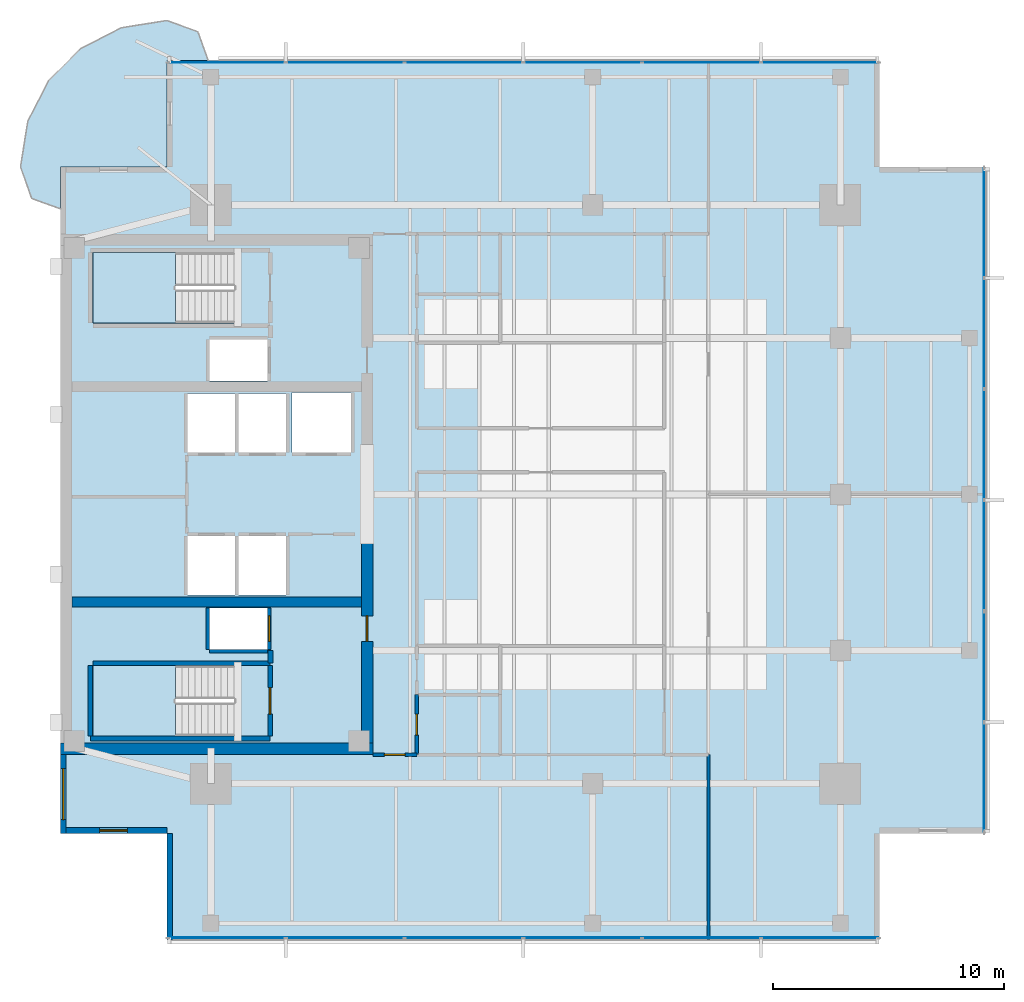
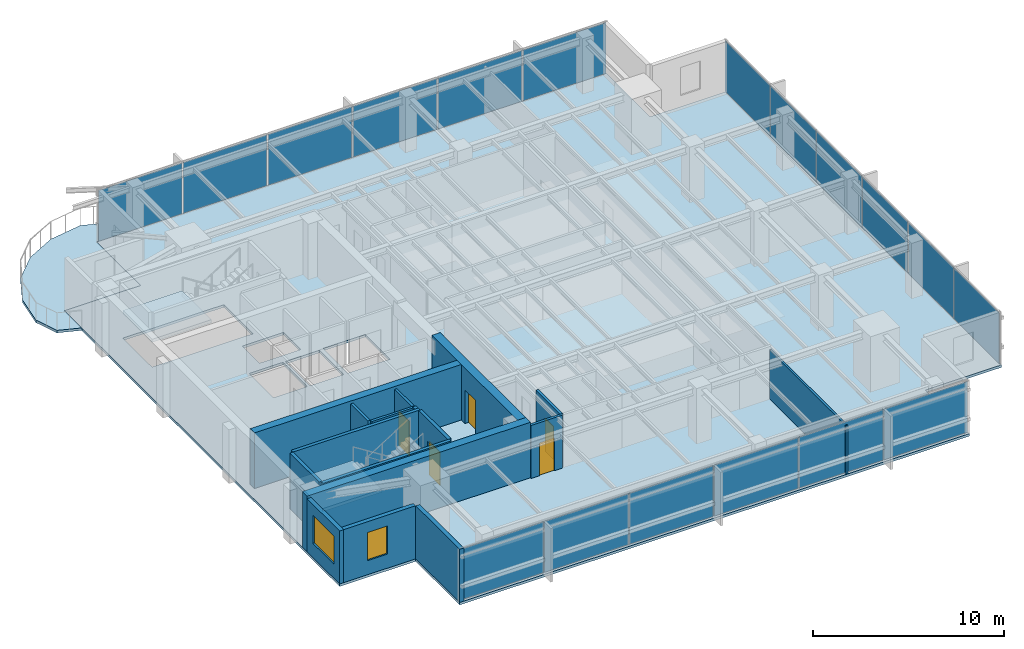
# One storey, part 7 of 14: 18 plates, 17 walls, 5 doors, 4 slabs, 2 windows, 7 openings, 5 elements without a shape of their own.
"""IFC4 building model written with IfcOpenShell, lengths in metres."""

from ifc_helpers import new_model, si_unit, direction, frame, frame_2d, origin, origin_2d, place, context, subcontext, project, spatial, polyline, rectangle, outline, extrude, material, layer, layer_set, type_object, element, fill, aggregate, save


model = new_model("IFC4")

# Units and contexts
model_context = context("Model", 3, precision=1e-05, world=origin(), true_north=direction((0.0, 1.0)))
body_context = subcontext(model_context, "Body", "Model", "MODEL_VIEW")
ifc_project = project(units=[si_unit("LENGTHUNIT", "METRE"), si_unit("AREAUNIT", "SQUARE_METRE"), si_unit("VOLUMEUNIT", "CUBIC_METRE"), si_unit("PLANEANGLEUNIT", "RADIAN"), si_unit("MASSUNIT", "GRAM", prefix="KILO")], contexts=[model_context])

# Site, building, storey
site_placement = place(None, origin())
site = spatial("IfcSite", under=ifc_project, at=site_placement, CompositionType="ELEMENT")
building_placement = place(site_placement, origin())
building = spatial("IfcBuilding", under=site, at=building_placement, Name="Kinhvarn Gate Tower", CompositionType="ELEMENT")
storey_placement = place(building_placement, frame((0.0, 0.0, 259.89990234375)))
storey = spatial("IfcBuildingStorey", under=building, at=storey_placement, Name="L69", CompositionType="ELEMENT", Elevation=259.89990234375)

# Curtain wall, plates
ifc_material_1 = material(Name="Anodised aluminium AW-6063", Category="aluminium")
ifc_layer_1 = layer(ifc_material_1, 0.179931640625)
ifc_layer_set_1 = layer_set([ifc_layer_1], Name="Anodised aluminium AW-6063")
curtain_wall_type = type_object("IfcCurtainWallType", Name="CW-SYS-3", PredefinedType="NOTDEFINED", material=ifc_layer_set_1)
curtain_wall_1_placement = place(storey_placement, origin())
curtain_wall_1 = element("IfcCurtainWall", 1, at=curtain_wall_1_placement, inside=storey, type_object=curtain_wall_type, Name="Curtain Wall CW3 (L69)", PredefinedType="NOTDEFINED")
ifc_material_2 = material(Name="Clear low-e double glazing", Category="glass")
ifc_layer_2 = layer(ifc_material_2, 0.031982421875)
ifc_layer_set_2 = layer_set([ifc_layer_2], Name="Clear low-e double glazing")
plate_type = type_object("IfcPlateType", Name="CW-PNL-VIS", PredefinedType="CURTAIN_PANEL", material=ifc_layer_set_2)
plate_1_placement = place(storey_placement, frame((11.682861328125, 6.090087890625, 0.070068359375), z_axis=(0.0, 0.0, 1.0), x_axis=(1.0, 0.0, 0.0)))
plate_1 = element("IfcPlate", 2, at=plate_1_placement, type_object=plate_type, Name="CW3 panel 1.1", PredefinedType="CURTAIN_PANEL", context=body_context, shape_type="SweptSolid", body=[
    extrude(rectangle(XDim=5.035888671875, YDim=0.031982421875, at=origin_2d()), origin(), (0.0, 0.0, 1.0), 3.25),
])
plate_2_placement = place(storey_placement, frame((16.800048828125, 6.090087890625, 0.070068359375), z_axis=(0.0, 0.0, 1.0), x_axis=(1.0, 0.0, 0.0)))
plate_2 = element("IfcPlate", 3, at=plate_2_placement, type_object=plate_type, Name="CW3 panel 2.1", PredefinedType="CURTAIN_PANEL", context=body_context, shape_type="SweptSolid", body=[
    extrude(rectangle(XDim=5.068359375, YDim=0.031982421875, at=origin_2d()), origin(), (0.0, 0.0, 1.0), 3.25),
])
plate_3_placement = place(storey_placement, frame((21.933349609375, 6.090087890625, 0.070068359375), z_axis=(0.0, 0.0, 1.0), x_axis=(1.0, 0.0, 0.0)))
plate_3 = element("IfcPlate", 4, at=plate_3_placement, type_object=plate_type, Name="CW3 panel 3.1", PredefinedType="CURTAIN_PANEL", context=body_context, shape_type="SweptSolid", body=[
    extrude(rectangle(XDim=5.068359375, YDim=0.031982421875, at=origin_2d()), origin(), (0.0, 0.0, 1.0), 3.25),
])
plate_4_placement = place(storey_placement, frame((27.066650390625, 6.090087890625, 0.070068359375), z_axis=(0.0, 0.0, 1.0), x_axis=(1.0, 0.0, 0.0)))
plate_4 = element("IfcPlate", 5, at=plate_4_placement, type_object=plate_type, Name="CW3 panel 4.1", PredefinedType="CURTAIN_PANEL", context=body_context, shape_type="SweptSolid", body=[
    extrude(rectangle(XDim=5.068359375, YDim=0.031982421875, at=origin_2d()), origin(), (0.0, 0.0, 1.0), 3.25),
])
plate_5_placement = place(storey_placement, frame((32.199951171875, 6.090087890625, 0.070068359375), z_axis=(0.0, 0.0, 1.0), x_axis=(1.0, 0.0, 0.0)))
plate_5 = element("IfcPlate", 6, at=plate_5_placement, type_object=plate_type, Name="CW3 panel 5.1", PredefinedType="CURTAIN_PANEL", context=body_context, shape_type="SweptSolid", body=[
    extrude(rectangle(XDim=5.068359375, YDim=0.031982421875, at=origin_2d()), origin(), (0.0, 0.0, 1.0), 3.25),
])
plate_6_placement = place(storey_placement, frame((37.317138671875, 6.090087890625, 0.070068359375), z_axis=(0.0, 0.0, 1.0), x_axis=(1.0, 0.0, 0.0)))
plate_6 = element("IfcPlate", 7, at=plate_6_placement, type_object=plate_type, Name="CW3 panel 6.1", PredefinedType="CURTAIN_PANEL", context=body_context, shape_type="SweptSolid", body=[
    extrude(rectangle(XDim=5.035888671875, YDim=0.031982421875, at=origin_2d()), origin(), (0.0, 0.0, 1.0), 3.25),
])
aggregate(curtain_wall_1, [plate_1, plate_2, plate_3, plate_4, plate_5, plate_6])

curtain_wall_2_placement = place(storey_placement, origin())
curtain_wall_2 = element("IfcCurtainWall", 8, at=curtain_wall_2_placement, inside=storey, type_object=curtain_wall_type, Name="Curtain Wall CW3 (L69)", PredefinedType="NOTDEFINED")
plate_7_placement = place(storey_placement, frame((37.317138671875, 43.909912109375, 0.070068359375), z_axis=(0.0, 0.0, 1.0), x_axis=(-1.0, 0.0, 0.0)))
plate_7 = element("IfcPlate", 9, at=plate_7_placement, type_object=plate_type, Name="CW3 panel 1.1", PredefinedType="CURTAIN_PANEL", context=body_context, shape_type="SweptSolid", body=[
    extrude(rectangle(XDim=5.035888671875, YDim=0.031982421875, at=origin_2d()), origin(), (0.0, 0.0, 1.0), 3.25),
])
plate_8_placement = place(storey_placement, frame((32.199951171875, 43.909912109375, 0.070068359375), z_axis=(0.0, 0.0, 1.0), x_axis=(-1.0, 0.0, 0.0)))
plate_8 = element("IfcPlate", 10, at=plate_8_placement, type_object=plate_type, Name="CW3 panel 2.1", PredefinedType="CURTAIN_PANEL", context=body_context, shape_type="SweptSolid", body=[
    extrude(rectangle(XDim=5.068359375, YDim=0.031982421875, at=origin_2d()), origin(), (0.0, 0.0, 1.0), 3.25),
])
plate_9_placement = place(storey_placement, frame((27.066650390625, 43.909912109375, 0.070068359375), z_axis=(0.0, 0.0, 1.0), x_axis=(-1.0, 0.0, 0.0)))
plate_9 = element("IfcPlate", 11, at=plate_9_placement, type_object=plate_type, Name="CW3 panel 3.1", PredefinedType="CURTAIN_PANEL", context=body_context, shape_type="SweptSolid", body=[
    extrude(rectangle(XDim=5.068359375, YDim=0.031982421875, at=origin_2d()), origin(), (0.0, 0.0, 1.0), 3.25),
])
plate_10_placement = place(storey_placement, frame((21.933349609375, 43.909912109375, 0.070068359375), z_axis=(0.0, 0.0, 1.0), x_axis=(-1.0, 0.0, 0.0)))
plate_10 = element("IfcPlate", 12, at=plate_10_placement, type_object=plate_type, Name="CW3 panel 4.1", PredefinedType="CURTAIN_PANEL", context=body_context, shape_type="SweptSolid", body=[
    extrude(rectangle(XDim=5.068359375, YDim=0.031982421875, at=origin_2d()), origin(), (0.0, 0.0, 1.0), 3.25),
])
plate_11_placement = place(storey_placement, frame((16.800048828125, 43.909912109375, 0.070068359375), z_axis=(0.0, 0.0, 1.0), x_axis=(-1.0, 0.0, 0.0)))
plate_11 = element("IfcPlate", 13, at=plate_11_placement, type_object=plate_type, Name="CW3 panel 5.1", PredefinedType="CURTAIN_PANEL", context=body_context, shape_type="SweptSolid", body=[
    extrude(rectangle(XDim=5.068359375, YDim=0.031982421875, at=origin_2d()), origin(), (0.0, 0.0, 1.0), 3.25),
])
plate_12_placement = place(storey_placement, frame((11.682861328125, 43.909912109375, 0.070068359375), z_axis=(0.0, 0.0, 1.0), x_axis=(-1.0, 0.0, 0.0)))
plate_12 = element("IfcPlate", 14, at=plate_12_placement, type_object=plate_type, Name="CW3 panel 6.1", PredefinedType="CURTAIN_PANEL", context=body_context, shape_type="SweptSolid", body=[
    extrude(rectangle(XDim=5.035888671875, YDim=0.031982421875, at=origin_2d()), origin(), (0.0, 0.0, 1.0), 3.25),
])
aggregate(curtain_wall_2, [plate_7, plate_8, plate_9, plate_10, plate_11, plate_12])

curtain_wall_3_placement = place(storey_placement, origin())
curtain_wall_3 = element("IfcCurtainWall", 15, at=curtain_wall_3_placement, inside=storey, type_object=curtain_wall_type, Name="Curtain Wall CW3 (L69)", PredefinedType="NOTDEFINED")
plate_13_placement = place(storey_placement, frame((44.409912109375, 13.016357421875, 0.070068359375), z_axis=(0.0, 0.0, 1.0), x_axis=(0.0, 1.0, 0.0)))
plate_13 = element("IfcPlate", 16, at=plate_13_placement, type_object=plate_type, Name="CW3 panel 1.1", PredefinedType="CURTAIN_PANEL", context=body_context, shape_type="SweptSolid", body=[
    extrude(rectangle(XDim=4.702392578125, YDim=0.031982421875, at=origin_2d()), origin(), (0.0, 0.0, 1.0), 3.25),
])
plate_14_placement = place(storey_placement, frame((44.409912109375, 17.800048828125, 0.070068359375), z_axis=(0.0, 0.0, 1.0), x_axis=(0.0, 1.0, 0.0)))
plate_14 = element("IfcPlate", 17, at=plate_14_placement, type_object=plate_type, Name="CW3 panel 2.1", PredefinedType="CURTAIN_PANEL", context=body_context, shape_type="SweptSolid", body=[
    extrude(rectangle(XDim=4.735107421875, YDim=0.031982421875, at=origin_2d()), origin(), (0.0, 0.0, 1.0), 3.25),
])
plate_15_placement = place(storey_placement, frame((44.409912109375, 22.60009765625, 0.070068359375), z_axis=(0.0, 0.0, 1.0), x_axis=(0.0, 1.0, 0.0)))
plate_15 = element("IfcPlate", 18, at=plate_15_placement, type_object=plate_type, Name="CW3 panel 3.1", PredefinedType="CURTAIN_PANEL", context=body_context, shape_type="SweptSolid", body=[
    extrude(rectangle(XDim=4.735107421875, YDim=0.031982421875, at=origin_2d()), origin(), (0.0, 0.0, 1.0), 3.25),
])
plate_16_placement = place(storey_placement, frame((44.409912109375, 27.39990234375, 0.070068359375), z_axis=(0.0, 0.0, 1.0), x_axis=(0.0, 1.0, 0.0)))
plate_16 = element("IfcPlate", 19, at=plate_16_placement, type_object=plate_type, Name="CW3 panel 4.1", PredefinedType="CURTAIN_PANEL", context=body_context, shape_type="SweptSolid", body=[
    extrude(rectangle(XDim=4.735107421875, YDim=0.031982421875, at=origin_2d()), origin(), (0.0, 0.0, 1.0), 3.25),
])
plate_17_placement = place(storey_placement, frame((44.409912109375, 32.199951171875, 0.070068359375), z_axis=(0.0, 0.0, 1.0), x_axis=(0.0, 1.0, 0.0)))
plate_17 = element("IfcPlate", 20, at=plate_17_placement, type_object=plate_type, Name="CW3 panel 5.1", PredefinedType="CURTAIN_PANEL", context=body_context, shape_type="SweptSolid", body=[
    extrude(rectangle(XDim=4.735107421875, YDim=0.031982421875, at=origin_2d()), origin(), (0.0, 0.0, 1.0), 3.25),
])
plate_18_placement = place(storey_placement, frame((44.409912109375, 36.983642578125, 0.070068359375), z_axis=(0.0, 0.0, 1.0), x_axis=(0.0, 1.0, 0.0)))
plate_18 = element("IfcPlate", 21, at=plate_18_placement, type_object=plate_type, Name="CW3 panel 6.1", PredefinedType="CURTAIN_PANEL", context=body_context, shape_type="SweptSolid", body=[
    extrude(rectangle(XDim=4.702392578125, YDim=0.031982421875, at=origin_2d()), origin(), (0.0, 0.0, 1.0), 3.25),
])
aggregate(curtain_wall_3, [plate_13, plate_14, plate_15, plate_16, plate_17, plate_18])

# Slabs
ifc_material_3 = material(Name="Precast white architectural concrete C40/50", Category="concrete")
ifc_layer_3 = layer(ifc_material_3, 0.159912109375)
ifc_layer_set_3 = layer_set([ifc_layer_3], Name="Precast white architectural concrete C40/50")
slab_type_1 = type_object("IfcSlabType", Name="SLB-BAL-160", PredefinedType="FLOOR", material=ifc_layer_set_3)
slab_1_placement = place(storey_placement, frame((0.0, 0.0, -0.159912109375)))
element("IfcSlab", 22, at=slab_1_placement, inside=storey, type_object=slab_type_1, Name="S-Carve Curved Terrace Balcony Slab L69 (NW)", PredefinedType="FLOOR", context=body_context, shape_type="SweptSolid", body=[
    extrude(outline(polyline([(10.885986328125, 44.0), (10.43603515625, 45.239013671875), (9.10009765625, 45.720947265625), (7.146728515625, 45.41162109375), (5.384521484375, 44.513916015625), (3.986083984375, 43.115478515625), (3.08837890625, 41.353271484375), (2.779052734375, 39.39990234375), (3.260986328125, 38.037109375), (4.5, 37.5869140625), (4.5, 39.39990234375), (9.10009765625, 39.39990234375), (9.10009765625, 44.0), (10.885986328125, 44.0)])), origin(), (0.0, 0.0, 1.0), 0.159912109375),
])
ifc_material_4 = material(Name="Concrete C40/50", Category="concrete")
ifc_layer_4 = layer(ifc_material_4, 0.159912109375)
ifc_layer_set_4 = layer_set([ifc_layer_4], Name="Concrete C40/50")
slab_type_2 = type_object("IfcSlabType", Name="SLB-FLR-160", PredefinedType="FLOOR", material=ifc_layer_set_4)
slab_2_placement = place(storey_placement, frame((0.0, 0.0, -0.159912109375)))
element("IfcSlab", 23, at=slab_2_placement, inside=storey, type_object=slab_type_2, Name="Suspended Floor Slab L69", PredefinedType="FLOOR", context=body_context, shape_type="SweptSolid", body=[
    extrude(outline(polyline([(9.10009765625, 6.0), (39.89990234375, 6.0), (39.89990234375, 10.60009765625), (44.5, 10.60009765625), (44.5, 39.39990234375), (39.89990234375, 39.39990234375), (39.89990234375, 44.0), (9.10009765625, 44.0), (9.10009765625, 39.39990234375), (4.5, 39.39990234375), (4.5, 10.60009765625), (9.10009765625, 10.60009765625), (9.10009765625, 6.0)]), holes=[polyline([(5.89990234375, 14.800048828125), (12.0, 14.800048828125), (12.0, 17.85009765625), (5.89990234375, 17.85009765625), (5.89990234375, 14.800048828125)]), polyline([(5.89990234375, 32.64990234375), (12.0, 32.64990234375), (12.0, 35.699951171875), (5.89990234375, 35.699951171875), (5.89990234375, 32.64990234375)]), polyline([(10.0, 20.89990234375), (12.050048828125, 20.89990234375), (12.050048828125, 23.449951171875), (10.0, 23.449951171875), (10.0, 20.89990234375)]), polyline([(12.199951171875, 20.89990234375), (14.25, 20.89990234375), (14.25, 23.449951171875), (12.199951171875, 23.449951171875), (12.199951171875, 20.89990234375)]), polyline([(10.0, 27.050048828125), (12.050048828125, 27.050048828125), (12.050048828125, 29.60009765625), (10.0, 29.60009765625), (10.0, 27.050048828125)]), polyline([(12.199951171875, 27.050048828125), (14.25, 27.050048828125), (14.25, 29.60009765625), (12.199951171875, 29.60009765625), (12.199951171875, 27.050048828125)]), polyline([(14.5, 27.050048828125), (17.050048828125, 27.050048828125), (17.050048828125, 29.64990234375), (14.5, 29.64990234375), (14.5, 27.050048828125)]), polyline([(10.949951171875, 18.550048828125), (13.449951171875, 18.550048828125), (13.449951171875, 20.35009765625), (10.949951171875, 20.35009765625), (10.949951171875, 18.550048828125)]), polyline([(10.949951171875, 30.14990234375), (13.449951171875, 30.14990234375), (13.449951171875, 31.949951171875), (10.949951171875, 31.949951171875), (10.949951171875, 30.14990234375)])]), origin(), (0.0, 0.0, 1.0), 0.159912109375),
])

# Stair, slab
stair_type = type_object("IfcStairType", Name="STR-DLG-178", PredefinedType="HALF_TURN_STAIR", material=ifc_material_4)
stair_1_placement = place(storey_placement, origin())
stair_1 = element("IfcStair", 24, at=stair_1_placement, inside=storey, type_object=stair_type, Name="L69 Core Smokeproof Exit Stair ST1", PredefinedType="HALF_TURN_STAIR")
ifc_layer_5 = layer(ifc_material_4, 0.199951171875)
ifc_layer_set_5 = layer_set([ifc_layer_5], Name="Concrete C40/50")
slab_type_3 = type_object("IfcSlabType", Name="SLB-ST-LND", PredefinedType="LANDING", material=ifc_layer_set_5)
slab_3_placement = place(storey_placement, frame((0.0, 0.0, 1.5751953125)))
slab_3 = element("IfcSlab", 25, at=slab_3_placement, type_object=slab_type_3, Name="ST1 landing 1", PredefinedType="LANDING", context=body_context, shape_type="SweptSolid", body=[
    extrude(outline(polyline([(9.47998046875, 17.85009765625), (5.89990234375, 17.85009765625), (5.89990234375, 14.800048828125), (9.47998046875, 14.800048828125), (9.47998046875, 17.85009765625)])), origin(), (0.0, 0.0, 1.0), 0.199951171875),
])
aggregate(stair_1, [slab_3])

stair_2_placement = place(storey_placement, origin())
stair_2 = element("IfcStair", 26, at=stair_2_placement, inside=storey, type_object=stair_type, Name="L69 Core Smokeproof Exit Stair ST2", PredefinedType="HALF_TURN_STAIR")
slab_4_placement = place(storey_placement, frame((0.0, 0.0, 1.5751953125)))
slab_4 = element("IfcSlab", 27, at=slab_4_placement, type_object=slab_type_3, Name="ST2 landing 1", PredefinedType="LANDING", context=body_context, shape_type="SweptSolid", body=[
    extrude(outline(polyline([(9.47998046875, 35.699951171875), (5.89990234375, 35.699951171875), (5.89990234375, 32.64990234375), (9.47998046875, 32.64990234375), (9.47998046875, 35.699951171875)])), origin(), (0.0, 0.0, 1.0), 0.199951171875),
])
aggregate(stair_2, [slab_4])

# Walls
ifc_material_5 = material(Name="Concrete C50/60", Category="concrete")
ifc_layer_6 = layer(ifc_material_5, 0.449951171875)
ifc_layer_set_6 = layer_set([ifc_layer_6], Name="Concrete C50/60")
wall_type_1 = type_object("IfcWallType", Name="WL-CORE-450", PredefinedType="SHEAR", material=ifc_layer_set_6)
wall_1_placement = place(storey_placement, frame((5.0, 20.60009765625, 0.0), z_axis=(0.0, 0.0, 1.0), x_axis=(1.0, 0.0, 0.0)))
element("IfcWall", 28, at=wall_1_placement, inside=storey, type_object=wall_type_1, Name="Core South Spine Shear Wall L69 450 mm", PredefinedType="SHEAR", context=body_context, shape_type="SweptSolid", body=[
    extrude(rectangle(XDim=12.5, YDim=0.449951171875, at=frame_2d((6.25, 0.0))), origin(), (0.0, 0.0, 1.0), 3.550048828125),
])
ifc_layer_7 = layer(ifc_material_5, 0.5)
ifc_layer_set_7 = layer_set([ifc_layer_7], Name="Concrete C50/60")
wall_type_2 = type_object("IfcWallType", Name="WL-CORE-500", PredefinedType="SHEAR", material=ifc_layer_set_7)
wall_2_placement = place(storey_placement, frame((4.5, 14.25, 0.0), z_axis=(0.0, 0.0, 1.0), x_axis=(1.0, 0.0, 0.0)))
element("IfcWall", 29, at=wall_2_placement, inside=storey, type_object=wall_type_2, Name="Core South Shear Wall L69 500 mm", PredefinedType="SHEAR", context=body_context, shape_type="SweptSolid", body=[
    extrude(rectangle(XDim=13.5, YDim=0.5, at=frame_2d((6.75, 0.0))), origin(), (0.0, 0.0, 1.0), 3.550048828125),
])

# Wall, opening, door
wall_3_placement = place(storey_placement, frame((17.75, 14.5, 0.0), z_axis=(0.0, 0.0, 1.0), x_axis=(0.0, 1.0, 0.0)))
wall_3 = element("IfcWall", 30, at=wall_3_placement, inside=storey, type_object=wall_type_2, Name="Core East-South Shear Pier L69 500 mm", PredefinedType="SHEAR", context=body_context, shape_type="SweptSolid", body=[
    extrude(rectangle(XDim=8.949951171875, YDim=0.5, at=frame_2d((4.47509765625, 0.0))), origin(), (0.0, 0.0, 1.0), 3.550048828125),
])
opening_1_placement = place(wall_3_placement, frame((4.39990234375, 0.0, 0.0)))
opening_1 = element("IfcOpeningElement", 31, at=opening_1_placement, cuts=wall_3, Name="Opening FD-02", PredefinedType="OPENING", context=body_context, shape_type="SweptSolid", body=[
    extrude(rectangle(XDim=1.10009765625, YDim=2.14990234375, at=frame_2d((0.550048828125, 1.074951171875))), frame((0.0, 0.260009765625, 0.0), z_axis=(0.0, -1.0, 0.0), x_axis=(1.0, 0.0, 0.0)), (0.0, 0.0, 1.0), 0.52001953125),
])
door_type_1 = type_object("IfcDoorType", Name="DR-FD-1100", OperationType="NOTDEFINED", PredefinedType="DOOR", material=ifc_material_1)
door_1_placement = place(opening_1_placement, origin())
door_1 = element("IfcDoor", 32, at=door_1_placement, inside=storey, type_object=door_type_1, Name="Firefighting Lobby Core Door (L69)", OperationType="SINGLE_SWING_RIGHT", OverallHeight=2.14990234375, OverallWidth=1.10009765625, PredefinedType="DOOR", context=body_context, shape_type="SweptSolid", body=[
    extrude(rectangle(XDim=1.10009765625, YDim=2.14990234375, at=frame_2d((0.550048828125, 1.074951171875))), frame((0.0, 0.02490234375, 0.0), z_axis=(0.0, -1.0, 0.0), x_axis=(1.0, 0.0, 0.0)), (0.0, 0.0, 1.0), 0.050048828125),
])
fill(opening_1, door_1)

# Wall, opening, window
ifc_material_6 = material(Name="Fired architectural terracotta", Category="masonry")
ifc_layer_8 = layer(ifc_material_6, 0.25)
ifc_layer_set_8 = layer_set([ifc_layer_8], Name="Fired architectural terracotta")
wall_type_3 = type_object("IfcWallType", Name="WL-EXT-250", PredefinedType="SOLIDWALL", material=ifc_layer_set_8)
wall_4_placement = place(storey_placement, frame((4.625, 14.0, 0.0), z_axis=(0.0, 0.0, 1.0), x_axis=(0.0, -1.0, 0.0)))
wall_4 = element("IfcWall", 33, at=wall_4_placement, inside=storey, type_object=wall_type_3, Name="Exterior Solidwall Wall EW-250 (L69 West-South)", PredefinedType="SOLIDWALL", context=body_context, shape_type="SweptSolid", body=[
    extrude(rectangle(XDim=3.39990234375, YDim=0.25, at=frame_2d((1.699951171875, 0.0))), origin(), (0.0, 0.0, 1.0), 3.39013671875),
])
opening_2_placement = place(wall_4_placement, frame((0.60009765625, 0.0, 0.89990234375)))
opening_2 = element("IfcOpeningElement", 34, at=opening_2_placement, cuts=wall_4, Name="Opening WN-01", PredefinedType="OPENING", context=body_context, shape_type="SweptSolid", body=[
    extrude(rectangle(XDim=2.199951171875, YDim=1.800048828125, at=frame_2d((1.10009765625, 0.89990234375))), frame((0.0, 0.135009765625, 0.0), z_axis=(0.0, -1.0, 0.0), x_axis=(1.0, 0.0, 0.0)), (0.0, 0.0, 1.0), 0.27001953125),
])
window_type_1 = type_object("IfcWindowType", Name="WIN-RIB-2200", PartitioningType="SINGLE_PANEL", PredefinedType="WINDOW", material=ifc_material_2)
window_1_placement = place(opening_2_placement, origin())
window_1 = element("IfcWindow", 35, at=window_1_placement, inside=storey, type_object=window_type_1, Name="West Flank Double-Glazed Ribbon Window 2200x1800 mm (L69)", OverallHeight=1.800048828125, OverallWidth=2.199951171875, PartitioningType="SINGLE_PANEL", PredefinedType="WINDOW", context=body_context, shape_type="SweptSolid", body=[
    extrude(rectangle(XDim=2.199951171875, YDim=1.800048828125, at=frame_2d((1.10009765625, 0.89990234375))), frame((0.0, 0.030029296875, 0.0), z_axis=(0.0, -1.0, 0.0), x_axis=(1.0, 0.0, 0.0)), (0.0, 0.0, 1.0), 0.06005859375),
])
fill(opening_2, window_1)

wall_5_placement = place(storey_placement, frame((4.5, 10.72509765625, 0.0), z_axis=(0.0, 0.0, 1.0), x_axis=(1.0, 0.0, 0.0)))
wall_5 = element("IfcWall", 36, at=wall_5_placement, inside=storey, type_object=wall_type_3, Name="Exterior Solidwall Wall EW-250 (L69 SW-Notch-1)", PredefinedType="SOLIDWALL", context=body_context, shape_type="SweptSolid", body=[
    extrude(rectangle(XDim=4.60009765625, YDim=0.25, at=frame_2d((2.300048828125, 0.0))), origin(), (0.0, 0.0, 1.0), 3.39013671875),
])
opening_3_placement = place(wall_5_placement, frame((1.699951171875, 0.0, 0.89990234375)))
opening_3 = element("IfcOpeningElement", 37, at=opening_3_placement, cuts=wall_5, Name="Opening WN-02", PredefinedType="OPENING", context=body_context, shape_type="SweptSolid", body=[
    extrude(rectangle(XDim=1.199951171875, YDim=1.800048828125, at=frame_2d((0.60009765625, 0.89990234375))), frame((0.0, 0.135009765625, 0.0), z_axis=(0.0, -1.0, 0.0), x_axis=(1.0, 0.0, 0.0)), (0.0, 0.0, 1.0), 0.27001953125),
])
window_type_2 = type_object("IfcWindowType", Name="WIN-NTC-1200", PartitioningType="SINGLE_PANEL", PredefinedType="WINDOW", material=ifc_material_2)
window_2_placement = place(opening_3_placement, origin())
window_2 = element("IfcWindow", 38, at=window_2_placement, inside=storey, type_object=window_type_2, Name="Recessed Corner Notch Punched Window 1200x1800 mm (L69)", OverallHeight=1.800048828125, OverallWidth=1.199951171875, PartitioningType="SINGLE_PANEL", PredefinedType="WINDOW", context=body_context, shape_type="SweptSolid", body=[
    extrude(rectangle(XDim=1.199951171875, YDim=1.800048828125, at=frame_2d((0.60009765625, 0.89990234375))), frame((0.0, 0.030029296875, 0.0), z_axis=(0.0, -1.0, 0.0), x_axis=(1.0, 0.0, 0.0)), (0.0, 0.0, 1.0), 0.06005859375),
])
fill(opening_3, window_2)

# Wall
wall_6_placement = place(storey_placement, frame((9.22509765625, 10.60009765625, 0.0), z_axis=(0.0, 0.0, 1.0), x_axis=(0.0, -1.0, 0.0)))
element("IfcWall", 39, at=wall_6_placement, inside=storey, type_object=wall_type_3, Name="Exterior Solidwall Wall EW-250 (L69 SW-Notch-2)", PredefinedType="SOLIDWALL", context=body_context, shape_type="SweptSolid", body=[
    extrude(rectangle(XDim=4.60009765625, YDim=0.25, at=frame_2d((2.300048828125, 0.0))), origin(), (0.0, 0.0, 1.0), 3.39013671875),
])

# Wall, opening, door
ifc_material_7 = material(Name="Gypsum acoustic partition board")
ifc_layer_9 = layer(ifc_material_7, 0.14990234375)
ifc_layer_set_9 = layer_set([ifc_layer_9], Name="Gypsum acoustic partition board")
wall_type_4 = type_object("IfcWallType", Name="WL-PLM-150F", PredefinedType="PLUMBINGWALL", material=ifc_layer_set_9)
wall_7_placement = place(storey_placement, frame((19.89990234375, 14.0, 0.0), z_axis=(0.0, 0.0, 1.0), x_axis=(0.0, 1.0, 0.0)))
wall_7 = element("IfcWall", 40, at=wall_7_placement, inside=storey, type_object=wall_type_4, Name="Interior Partition PLW-150F (L69)", PredefinedType="PLUMBINGWALL", context=body_context, shape_type="SweptSolid", body=[
    extrude(rectangle(XDim=2.60009765625, YDim=0.14990234375, at=frame_2d((1.300048828125, 0.0))), origin(), (0.0, 0.0, 1.0), 3.39013671875),
])
opening_4_placement = place(wall_7_placement, frame((0.85009765625, 0.0, 0.0)))
opening_4 = element("IfcOpeningElement", 41, at=opening_4_placement, cuts=wall_7, Name="Opening FD-04", PredefinedType="OPENING", context=body_context, shape_type="SweptSolid", body=[
    extrude(rectangle(XDim=0.89990234375, YDim=2.10009765625, at=frame_2d((0.449951171875, 1.050048828125))), frame((0.0, 0.0849609375, 0.0), z_axis=(0.0, -1.0, 0.0), x_axis=(1.0, 0.0, 0.0)), (0.0, 0.0, 1.0), 0.169921875),
])
door_type_2 = type_object("IfcDoorType", Name="DR-FD-900", OperationType="NOTDEFINED", PredefinedType="DOOR", material=ifc_material_1)
door_2_placement = place(opening_4_placement, origin())
door_2 = element("IfcDoor", 42, at=door_2_placement, inside=storey, type_object=door_type_2, Name="Rated Riser & Service Closet Fire Door 900x2100 mm (L69)", OperationType="SINGLE_SWING_LEFT", OverallHeight=2.10009765625, OverallWidth=0.89990234375, PredefinedType="DOOR", context=body_context, shape_type="SweptSolid", body=[
    extrude(rectangle(XDim=0.89990234375, YDim=2.10009765625, at=frame_2d((0.449951171875, 1.050048828125))), frame((0.0, 0.02490234375, 0.0), z_axis=(0.0, -1.0, 0.0), x_axis=(1.0, 0.0, 0.0)), (0.0, 0.0, 1.0), 0.050048828125),
])
fill(opening_4, door_2)

# Wall
ifc_layer_10 = layer(ifc_material_7, 0.1201171875)
ifc_layer_set_10 = layer_set([ifc_layer_10], Name="Gypsum acoustic partition board")
wall_type_5 = type_object("IfcWallType", Name="WL-PRT-120", PredefinedType="PARTITIONING", material=ifc_layer_set_10)
wall_8_placement = place(storey_placement, frame((32.5, 6.010009765625, 0.0), z_axis=(0.0, 0.0, 1.0), x_axis=(0.0, 1.0, 0.0)))
element("IfcWall", 43, at=wall_8_placement, inside=storey, type_object=wall_type_5, Name="Interior Partition PW-120 (L69)", PredefinedType="PARTITIONING", context=body_context, shape_type="SweptSolid", body=[
    extrude(rectangle(XDim=7.989990234375, YDim=0.1201171875, at=frame_2d((3.9951171875, 0.0))), origin(), (0.0, 0.0, 1.0), 3.1201171875),
])

# Wall, opening, door
ifc_layer_11 = layer(ifc_material_7, 0.14990234375)
ifc_layer_set_11 = layer_set([ifc_layer_11], Name="Gypsum acoustic partition board")
wall_type_6 = type_object("IfcWallType", Name="WL-PRT-150F", PredefinedType="PARTITIONING", material=ifc_layer_set_11)
wall_9_placement = place(storey_placement, frame((18.0, 14.0, 0.0), z_axis=(0.0, 0.0, 1.0), x_axis=(1.0, 0.0, 0.0)))
wall_9 = element("IfcWall", 44, at=wall_9_placement, inside=storey, type_object=wall_type_6, Name="Interior Partition PW-150F (L69)", PredefinedType="PARTITIONING", context=body_context, shape_type="SweptSolid", body=[
    extrude(rectangle(XDim=1.89990234375, YDim=0.14990234375, at=frame_2d((0.949951171875, 0.0))), origin(), (0.0, 0.0, 1.0), 3.39013671875),
])
opening_5_placement = place(wall_9_placement, frame((0.5, 0.0, 0.0)))
opening_5 = element("IfcOpeningElement", 45, at=opening_5_placement, cuts=wall_9, Name="Opening ID-03", PredefinedType="OPENING", context=body_context, shape_type="SweptSolid", body=[
    extrude(rectangle(XDim=0.89990234375, YDim=2.10009765625, at=frame_2d((0.449951171875, 1.050048828125))), frame((0.0, 0.0849609375, 0.0), z_axis=(0.0, -1.0, 0.0), x_axis=(1.0, 0.0, 0.0)), (0.0, 0.0, 1.0), 0.169921875),
])
door_type_3 = type_object("IfcDoorType", Name="DR-INT-900", OperationType="NOTDEFINED", PredefinedType="DOOR", material=ifc_material_1)
door_3_placement = place(opening_5_placement, origin())
door_3 = element("IfcDoor", 46, at=door_3_placement, inside=storey, type_object=door_type_3, Name="Cellular Office & Restroom Door 900x2100 mm (L69)", OperationType="SINGLE_SWING_LEFT", OverallHeight=2.10009765625, OverallWidth=0.89990234375, PredefinedType="DOOR", context=body_context, shape_type="SweptSolid", body=[
    extrude(rectangle(XDim=0.89990234375, YDim=2.10009765625, at=frame_2d((0.449951171875, 1.050048828125))), frame((0.0, 0.02490234375, 0.0), z_axis=(0.0, -1.0, 0.0), x_axis=(1.0, 0.0, 0.0)), (0.0, 0.0, 1.0), 0.050048828125),
])
fill(opening_5, door_3)

# Walls
ifc_layer_12 = layer(ifc_material_7, 0.199951171875)
ifc_layer_set_12 = layer_set([ifc_layer_12], Name="Gypsum acoustic partition board")
wall_type_7 = type_object("IfcWallType", Name="WL-PRT-200", PredefinedType="PARTITIONING", material=ifc_layer_set_12)
wall_10_placement = place(storey_placement, frame((13.580078125, 17.9599609375, 0.0), z_axis=(0.0, 0.0, 1.0), x_axis=(0.0, 1.0, 0.0)))
element("IfcWall", 47, at=wall_10_placement, inside=storey, type_object=wall_type_7, Name="Interior Partition PW-200 (L69)", PredefinedType="PARTITIONING", context=body_context, shape_type="SweptSolid", body=[
    extrude(rectangle(XDim=0.5400390625, YDim=0.199951171875, at=frame_2d((0.27001953125, 0.0))), origin(), (0.0, 0.0, 1.0), 3.39013671875),
])
ifc_layer_13 = layer(ifc_material_7, 0.14990234375)
ifc_layer_set_13 = layer_set([ifc_layer_13], Name="Gypsum acoustic partition board")
wall_type_8 = type_object("IfcWallType", Name="WL-SHF-150", PredefinedType="PARTITIONING", material=ifc_layer_set_13)
wall_11_placement = place(storey_placement, frame((10.949951171875, 18.47509765625, 0.0), z_axis=(0.0, 0.0, 1.0), x_axis=(1.0, 0.0, 0.0)))
element("IfcWall", 48, at=wall_11_placement, inside=storey, type_object=wall_type_8, Name="Elevator FF1 Hoistway Wall S (L69)", PredefinedType="PARTITIONING", context=body_context, shape_type="SweptSolid", body=[
    extrude(rectangle(XDim=2.5, YDim=0.14990234375, at=frame_2d((1.25, 0.0))), origin(), (0.0, 0.0, 1.0), 3.39013671875),
])
wall_12_placement = place(storey_placement, frame((10.875, 18.550048828125, 0.0), z_axis=(0.0, 0.0, 1.0), x_axis=(0.0, 1.0, 0.0)))
element("IfcWall", 49, at=wall_12_placement, inside=storey, type_object=wall_type_8, Name="Elevator FF1 Hoistway Wall W (L69)", PredefinedType="PARTITIONING", context=body_context, shape_type="SweptSolid", body=[
    extrude(rectangle(XDim=1.800048828125, YDim=0.14990234375, at=frame_2d((0.89990234375, 0.0))), origin(), (0.0, 0.0, 1.0), 3.39013671875),
])

# Wall, opening, door
wall_13_placement = place(storey_placement, frame((13.52490234375, 18.550048828125, 0.0), z_axis=(0.0, 0.0, 1.0), x_axis=(0.0, 1.0, 0.0)))
wall_13 = element("IfcWall", 50, at=wall_13_placement, inside=storey, type_object=wall_type_8, Name="Elevator FF1 Landing Wall (L69)", PredefinedType="PARTITIONING", context=body_context, shape_type="SweptSolid", body=[
    extrude(rectangle(XDim=1.800048828125, YDim=0.14990234375, at=frame_2d((0.89990234375, 0.0))), origin(), (0.0, 0.0, 1.0), 3.39013671875),
])
opening_6_placement = place(wall_13_placement, frame((0.35009765625, 0.0, 0.0)))
opening_6 = element("IfcOpeningElement", 51, at=opening_6_placement, cuts=wall_13, Name="Opening LD-03", PredefinedType="OPENING", context=body_context, shape_type="SweptSolid", body=[
    extrude(rectangle(XDim=1.10009765625, YDim=2.199951171875, at=frame_2d((0.550048828125, 1.10009765625))), frame((0.0, 0.0849609375, 0.0), z_axis=(0.0, -1.0, 0.0), x_axis=(1.0, 0.0, 0.0)), (0.0, 0.0, 1.0), 0.169921875),
])
door_type_4 = type_object("IfcDoorType", Name="DR-LND-FF", OperationType="NOTDEFINED", PredefinedType="DOOR", material=ifc_material_1)
door_4_placement = place(opening_6_placement, origin())
door_4 = element("IfcDoor", 52, at=door_4_placement, inside=storey, type_object=door_type_4, Name="Elevator FF1 Sliding Landing Door (L69)", OperationType="DOUBLE_DOOR_SLIDING", OverallHeight=2.199951171875, OverallWidth=1.10009765625, PredefinedType="DOOR", context=body_context, shape_type="SweptSolid", body=[
    extrude(rectangle(XDim=1.10009765625, YDim=2.199951171875, at=frame_2d((0.550048828125, 1.10009765625))), frame((0.0, 0.02490234375, 0.0), z_axis=(0.0, -1.0, 0.0), x_axis=(1.0, 0.0, 0.0)), (0.0, 0.0, 1.0), 0.050048828125),
])
fill(opening_6, door_4)

# Walls
ifc_layer_14 = layer(ifc_material_4, 0.199951171875)
ifc_layer_set_14 = layer_set([ifc_layer_14], Name="Concrete C40/50")
wall_type_9 = type_object("IfcWallType", Name="WL-SHF-200", PredefinedType="SOLIDWALL", material=ifc_layer_set_14)
wall_14_placement = place(storey_placement, frame((5.800048828125, 14.699951171875, 0.0), z_axis=(0.0, 0.0, 1.0), x_axis=(1.0, 0.0, 0.0)))
element("IfcWall", 53, at=wall_14_placement, inside=storey, type_object=wall_type_9, Name="Stair ST1 South Shaft Wall (L69)", PredefinedType="SOLIDWALL", context=body_context, shape_type="SweptSolid", body=[
    extrude(rectangle(XDim=7.75, YDim=0.199951171875, at=frame_2d((3.875, 0.0))), origin(), (0.0, 0.0, 1.0), 3.550048828125),
])
wall_15_placement = place(storey_placement, frame((5.7900390625, 14.800048828125, 0.0), z_axis=(0.0, 0.0, 1.0), x_axis=(0.0, 1.0, 0.0)))
element("IfcWall", 54, at=wall_15_placement, inside=storey, type_object=wall_type_9, Name="Stair ST1 West Shaft Wall (L69)", PredefinedType="SOLIDWALL", context=body_context, shape_type="SweptSolid", body=[
    extrude(rectangle(XDim=3.050048828125, YDim=0.199951171875, at=frame_2d((1.52490234375, 0.0))), origin(), (0.0, 0.0, 1.0), 3.550048828125),
])
wall_16_placement = place(storey_placement, frame((5.89990234375, 17.9599609375, 0.0), z_axis=(0.0, 0.0, 1.0), x_axis=(1.0, 0.0, 0.0)))
element("IfcWall", 55, at=wall_16_placement, inside=storey, type_object=wall_type_9, Name="Stair ST1 North Shaft Wall (L69)", PredefinedType="SOLIDWALL", context=body_context, shape_type="SweptSolid", body=[
    extrude(rectangle(XDim=7.66015625, YDim=0.199951171875, at=frame_2d((3.830078125, 0.0))), origin(), (0.0, 0.0, 1.0), 3.550048828125),
])

# Wall, opening, door
wall_17_placement = place(storey_placement, frame((13.56005859375, 14.800048828125, 0.0), z_axis=(0.0, 0.0, 1.0), x_axis=(0.0, 1.0, 0.0)))
wall_17 = element("IfcWall", 56, at=wall_17_placement, inside=storey, type_object=wall_type_9, Name="Stair ST1 East Entry Wall (L69)", PredefinedType="SOLIDWALL", context=body_context, shape_type="SweptSolid", body=[
    extrude(rectangle(XDim=3.050048828125, YDim=0.199951171875, at=frame_2d((1.52490234375, 0.0))), origin(), (0.0, 0.0, 1.0), 3.550048828125),
])
opening_7_placement = place(wall_17_placement, frame((0.949951171875, 0.0, 0.0)))
opening_7 = element("IfcOpeningElement", 57, at=opening_7_placement, cuts=wall_17, Name="Opening FD-01", PredefinedType="OPENING", context=body_context, shape_type="SweptSolid", body=[
    extrude(rectangle(XDim=1.14990234375, YDim=2.14990234375, at=frame_2d((0.574951171875, 1.074951171875))), frame((0.0, 0.10986328125, 0.0), z_axis=(0.0, -1.0, 0.0), x_axis=(1.0, 0.0, 0.0)), (0.0, 0.0, 1.0), 0.219970703125),
])
door_type_5 = type_object("IfcDoorType", Name="DR-ST-1150", OperationType="NOTDEFINED", PredefinedType="DOOR", material=ifc_material_1)
door_5_placement = place(opening_7_placement, origin())
door_5 = element("IfcDoor", 58, at=door_5_placement, inside=storey, type_object=door_type_5, Name="Exit Stair ST1 Fire Door (L69)", OperationType="SINGLE_SWING_LEFT", OverallHeight=2.14990234375, OverallWidth=1.14990234375, PredefinedType="DOOR", context=body_context, shape_type="SweptSolid", body=[
    extrude(rectangle(XDim=1.14990234375, YDim=2.14990234375, at=frame_2d((0.574951171875, 1.074951171875))), frame((0.0, 0.02490234375, 0.0), z_axis=(0.0, -1.0, 0.0), x_axis=(1.0, 0.0, 0.0)), (0.0, 0.0, 1.0), 0.050048828125),
])
fill(opening_7, door_5)

save(model, "model.ifc")
